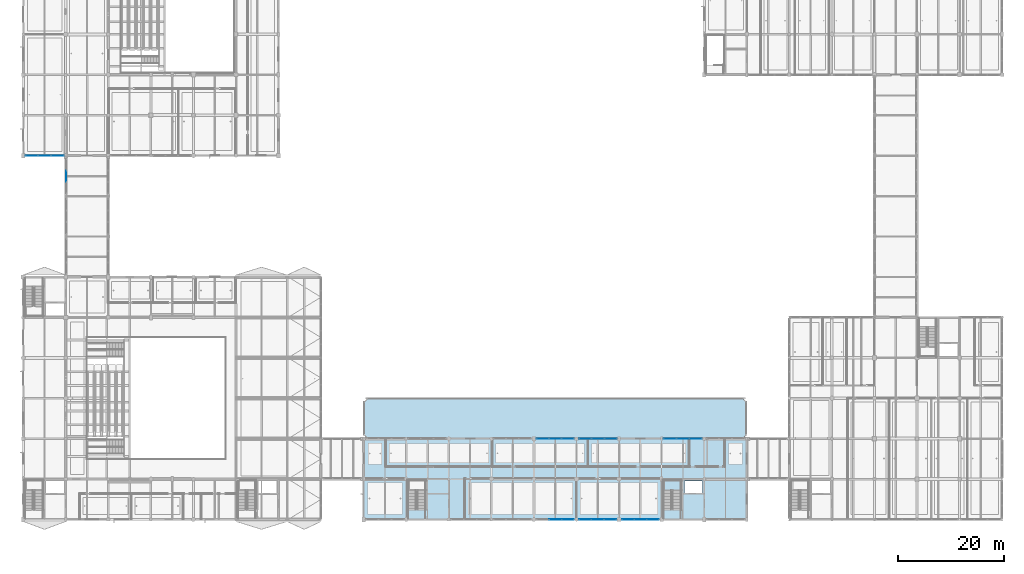
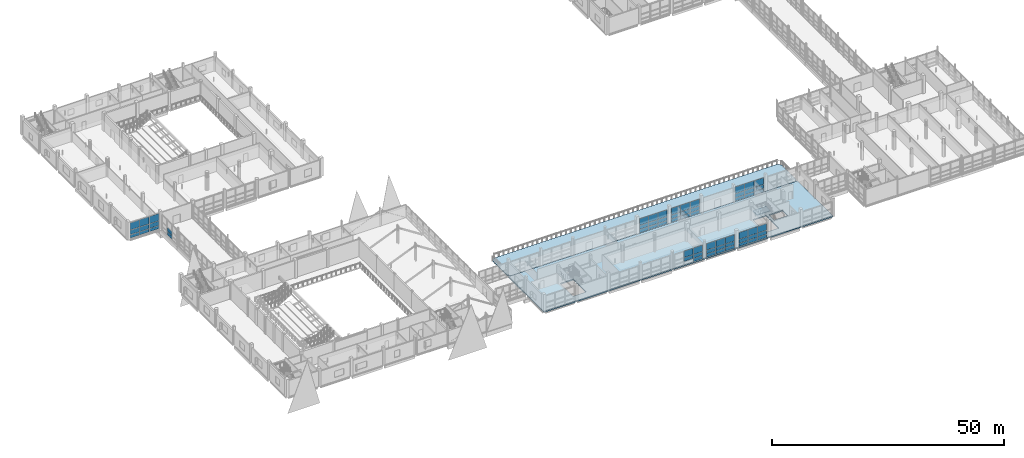
# One storey, part 71 of 147: 61 plates, 3 slabs, 9 elements without a shape of their own.
"""IFC4 building model written with IfcOpenShell, lengths in metres."""

from ifc_helpers import new_model, si_unit, direction, frame, origin, origin_2d, place, context, subcontext, project, spatial, polyline, rectangle, outline, extrude, material, layer, layer_set, type_object, element, aggregate, save


model = new_model("IFC4")

# Units and contexts
model_context = context("Model", 3, precision=1e-05, world=origin(), true_north=direction((0.0, 1.0)))
body_context = subcontext(model_context, "Body", "Model", "MODEL_VIEW")
ifc_project = project(units=[si_unit("LENGTHUNIT", "METRE"), si_unit("AREAUNIT", "SQUARE_METRE"), si_unit("VOLUMEUNIT", "CUBIC_METRE"), si_unit("PLANEANGLEUNIT", "RADIAN"), si_unit("MASSUNIT", "GRAM", prefix="KILO")], contexts=[model_context])

# Site, building, storey
site_placement = place(None, origin())
site = spatial("IfcSite", under=ifc_project, at=site_placement, CompositionType="ELEMENT")
building_placement = place(site_placement, origin())
building = spatial("IfcBuilding", under=site, at=building_placement, Name="Khelvaren Railside Concert Hall", CompositionType="ELEMENT")
storey_placement = place(building_placement, frame((0.0, 0.0, 5.39990234375)))
storey = spatial("IfcBuildingStorey", under=building, at=storey_placement, Name="L01", CompositionType="ELEMENT", Elevation=5.39990234375)

# Curtain wall, plates
ifc_material_1 = material(Name="Acoustic laminated crystal facade glass", Category="glass")
curtain_wall_type_1 = type_object("IfcCurtainWallType", Name="CW15", PredefinedType="USERDEFINED", material=ifc_material_1)
curtain_wall_1_placement = place(storey_placement, origin())
curtain_wall_1 = element("IfcCurtainWall", 1, at=curtain_wall_1_placement, inside=storey, type_object=curtain_wall_type_1, Name="Unitised Curtain Wall CW-V3-L01-S-96", ObjectType="UNITISED CURTAIN WALL", PredefinedType="USERDEFINED")
ifc_layer_1 = layer(ifc_material_1, 0.0400390625)
ifc_layer_set_1 = layer_set([ifc_layer_1], Name="Acoustic laminated crystal facade glass")
plate_type = type_object("IfcPlateType", Name="CWP77", PredefinedType="CURTAIN_PANEL", material=ifc_layer_set_1)
plate_1_placement = place(storey_placement, frame((102.3896484375, 0.0, 0.0849609375), z_axis=(0.0, 0.0, 1.0), x_axis=(-1.0, 0.0, 0.0)))
plate_1 = element("IfcPlate", 2, at=plate_1_placement, type_object=plate_type, Name="CW15 panel 1.1", PredefinedType="CURTAIN_PANEL", context=body_context, shape_type="SweptSolid", body=[
    extrude(rectangle(XDim=2.245849609375, YDim=0.0400390625, at=origin_2d()), origin(), (0.0, 0.0, 1.0), 0.822509765625),
])
plate_2_placement = place(storey_placement, frame((102.3896484375, 0.0, 0.99267578125), z_axis=(0.0, 0.0, 1.0), x_axis=(-1.0, 0.0, 0.0)))
plate_2 = element("IfcPlate", 3, at=plate_2_placement, type_object=plate_type, Name="CW15 panel 1.2", PredefinedType="CURTAIN_PANEL", context=body_context, shape_type="SweptSolid", body=[
    extrude(rectangle(XDim=2.245849609375, YDim=0.0400390625, at=origin_2d()), origin(), (0.0, 0.0, 1.0), 0.9150390625),
])
plate_3_placement = place(storey_placement, frame((102.3896484375, 0.0, 1.99267578125), z_axis=(0.0, 0.0, 1.0), x_axis=(-1.0, 0.0, 0.0)))
plate_3 = element("IfcPlate", 4, at=plate_3_placement, type_object=plate_type, Name="CW15 panel 1.3", PredefinedType="CURTAIN_PANEL", context=body_context, shape_type="SweptSolid", body=[
    extrude(rectangle(XDim=2.245849609375, YDim=0.0400390625, at=origin_2d()), origin(), (0.0, 0.0, 1.0), 1.672607421875),
])
plate_4_placement = place(storey_placement, frame((100.03759765625, 0.0, 0.99267578125), z_axis=(0.0, 0.0, 1.0), x_axis=(-1.0, 0.0, 0.0)))
plate_4 = element("IfcPlate", 5, at=plate_4_placement, type_object=plate_type, Name="CW15 panel 2.2", PredefinedType="CURTAIN_PANEL", context=body_context, shape_type="SweptSolid", body=[
    extrude(rectangle(XDim=2.288330078125, YDim=0.0400390625, at=origin_2d()), origin(), (0.0, 0.0, 1.0), 0.9150390625),
])
plate_5_placement = place(storey_placement, frame((100.03759765625, 0.0, 1.99267578125), z_axis=(0.0, 0.0, 1.0), x_axis=(-1.0, 0.0, 0.0)))
plate_5 = element("IfcPlate", 6, at=plate_5_placement, type_object=plate_type, Name="CW15 panel 2.3", PredefinedType="CURTAIN_PANEL", context=body_context, shape_type="SweptSolid", body=[
    extrude(rectangle(XDim=2.288330078125, YDim=0.0400390625, at=origin_2d()), origin(), (0.0, 0.0, 1.0), 1.672607421875),
])
aggregate(curtain_wall_1, [plate_1, plate_2, plate_3, plate_4, plate_5])

curtain_wall_type_2 = type_object("IfcCurtainWallType", Name="CW54", PredefinedType="USERDEFINED", material=ifc_material_1)
curtain_wall_2_placement = place(storey_placement, origin())
curtain_wall_2 = element("IfcCurtainWall", 7, at=curtain_wall_2_placement, inside=storey, type_object=curtain_wall_type_2, Name="Unitised Curtain Wall CW-V3-L01-S-104", ObjectType="UNITISED CURTAIN WALL", PredefinedType="USERDEFINED")
plate_6_placement = place(storey_placement, frame((110.314697265625, 0.0, 0.0849609375), z_axis=(0.0, 0.0, 1.0), x_axis=(-1.0, 0.0, 0.0)))
plate_6 = element("IfcPlate", 8, at=plate_6_placement, type_object=plate_type, Name="CW54 panel 1.1", PredefinedType="CURTAIN_PANEL", context=body_context, shape_type="SweptSolid", body=[
    extrude(rectangle(XDim=2.245849609375, YDim=0.0400390625, at=origin_2d()), origin(), (0.0, 0.0, 1.0), 0.822509765625),
])
plate_7_placement = place(storey_placement, frame((110.314697265625, 0.0, 0.99267578125), z_axis=(0.0, 0.0, 1.0), x_axis=(-1.0, 0.0, 0.0)))
plate_7 = element("IfcPlate", 9, at=plate_7_placement, type_object=plate_type, Name="CW54 panel 1.2", PredefinedType="CURTAIN_PANEL", context=body_context, shape_type="SweptSolid", body=[
    extrude(rectangle(XDim=2.245849609375, YDim=0.0400390625, at=origin_2d()), origin(), (0.0, 0.0, 1.0), 0.9150390625),
])
plate_8_placement = place(storey_placement, frame((110.314697265625, 0.0, 1.99267578125), z_axis=(0.0, 0.0, 1.0), x_axis=(-1.0, 0.0, 0.0)))
plate_8 = element("IfcPlate", 10, at=plate_8_placement, type_object=plate_type, Name="CW54 panel 1.3", PredefinedType="CURTAIN_PANEL", context=body_context, shape_type="SweptSolid", body=[
    extrude(rectangle(XDim=2.245849609375, YDim=0.0400390625, at=origin_2d()), origin(), (0.0, 0.0, 1.0), 1.672607421875),
])
plate_9_placement = place(storey_placement, frame((107.96240234375, 0.0, 0.0849609375), z_axis=(0.0, 0.0, 1.0), x_axis=(-1.0, 0.0, 0.0)))
plate_9 = element("IfcPlate", 11, at=plate_9_placement, type_object=plate_type, Name="CW54 panel 2.1", PredefinedType="CURTAIN_PANEL", context=body_context, shape_type="SweptSolid", body=[
    extrude(rectangle(XDim=2.288330078125, YDim=0.0400390625, at=origin_2d()), origin(), (0.0, 0.0, 1.0), 0.822509765625),
])
plate_10_placement = place(storey_placement, frame((107.96240234375, 0.0, 0.99267578125), z_axis=(0.0, 0.0, 1.0), x_axis=(-1.0, 0.0, 0.0)))
plate_10 = element("IfcPlate", 12, at=plate_10_placement, type_object=plate_type, Name="CW54 panel 2.2", PredefinedType="CURTAIN_PANEL", context=body_context, shape_type="SweptSolid", body=[
    extrude(rectangle(XDim=2.288330078125, YDim=0.0400390625, at=origin_2d()), origin(), (0.0, 0.0, 1.0), 0.9150390625),
])
plate_11_placement = place(storey_placement, frame((107.96240234375, 0.0, 1.99267578125), z_axis=(0.0, 0.0, 1.0), x_axis=(-1.0, 0.0, 0.0)))
plate_11 = element("IfcPlate", 13, at=plate_11_placement, type_object=plate_type, Name="CW54 panel 2.3", PredefinedType="CURTAIN_PANEL", context=body_context, shape_type="SweptSolid", body=[
    extrude(rectangle(XDim=2.288330078125, YDim=0.0400390625, at=origin_2d()), origin(), (0.0, 0.0, 1.0), 1.672607421875),
])
plate_12_placement = place(storey_placement, frame((105.6103515625, 0.0, 0.0849609375), z_axis=(0.0, 0.0, 1.0), x_axis=(-1.0, 0.0, 0.0)))
plate_12 = element("IfcPlate", 14, at=plate_12_placement, type_object=plate_type, Name="CW54 panel 3.1", PredefinedType="CURTAIN_PANEL", context=body_context, shape_type="SweptSolid", body=[
    extrude(rectangle(XDim=2.245849609375, YDim=0.0400390625, at=origin_2d()), origin(), (0.0, 0.0, 1.0), 0.822509765625),
])
plate_13_placement = place(storey_placement, frame((105.6103515625, 0.0, 0.99267578125), z_axis=(0.0, 0.0, 1.0), x_axis=(-1.0, 0.0, 0.0)))
plate_13 = element("IfcPlate", 15, at=plate_13_placement, type_object=plate_type, Name="CW54 panel 3.2", PredefinedType="CURTAIN_PANEL", context=body_context, shape_type="SweptSolid", body=[
    extrude(rectangle(XDim=2.245849609375, YDim=0.0400390625, at=origin_2d()), origin(), (0.0, 0.0, 1.0), 0.9150390625),
])
plate_14_placement = place(storey_placement, frame((105.6103515625, 0.0, 1.99267578125), z_axis=(0.0, 0.0, 1.0), x_axis=(-1.0, 0.0, 0.0)))
plate_14 = element("IfcPlate", 16, at=plate_14_placement, type_object=plate_type, Name="CW54 panel 3.3", PredefinedType="CURTAIN_PANEL", context=body_context, shape_type="SweptSolid", body=[
    extrude(rectangle(XDim=2.245849609375, YDim=0.0400390625, at=origin_2d()), origin(), (0.0, 0.0, 1.0), 1.672607421875),
])
aggregate(curtain_wall_2, [plate_6, plate_7, plate_8, plate_9, plate_10, plate_11, plate_12, plate_13, plate_14])

curtain_wall_type_3 = type_object("IfcCurtainWallType", Name="CW66", PredefinedType="USERDEFINED", material=ifc_material_1)
curtain_wall_3_placement = place(storey_placement, origin())
curtain_wall_3 = element("IfcCurtainWall", 17, at=curtain_wall_3_placement, inside=storey, type_object=curtain_wall_type_3, Name="Unitised Curtain Wall CW-V3-L01-S-112", ObjectType="UNITISED CURTAIN WALL", PredefinedType="USERDEFINED")
plate_15_placement = place(storey_placement, frame((118.36865234375, 0.0, 0.0849609375), z_axis=(0.0, 0.0, 1.0), x_axis=(-1.0, 0.0, 0.0)))
plate_15 = element("IfcPlate", 18, at=plate_15_placement, type_object=plate_type, Name="CW66 panel 1.1", PredefinedType="CURTAIN_PANEL", context=body_context, shape_type="SweptSolid", body=[
    extrude(rectangle(XDim=2.237548828125, YDim=0.0400390625, at=origin_2d()), origin(), (0.0, 0.0, 1.0), 0.822509765625),
])
plate_16_placement = place(storey_placement, frame((118.36865234375, 0.0, 0.99267578125), z_axis=(0.0, 0.0, 1.0), x_axis=(-1.0, 0.0, 0.0)))
plate_16 = element("IfcPlate", 19, at=plate_16_placement, type_object=plate_type, Name="CW66 panel 1.2", PredefinedType="CURTAIN_PANEL", context=body_context, shape_type="SweptSolid", body=[
    extrude(rectangle(XDim=2.237548828125, YDim=0.0400390625, at=origin_2d()), origin(), (0.0, 0.0, 1.0), 0.967041015625),
])
plate_17_placement = place(storey_placement, frame((118.36865234375, 0.0, 2.04443359375), z_axis=(0.0, 0.0, 1.0), x_axis=(-1.0, 0.0, 0.0)))
plate_17 = element("IfcPlate", 20, at=plate_17_placement, type_object=plate_type, Name="CW66 panel 1.3", PredefinedType="CURTAIN_PANEL", context=body_context, shape_type="SweptSolid", body=[
    extrude(rectangle(XDim=2.237548828125, YDim=0.0400390625, at=origin_2d()), origin(), (0.0, 0.0, 1.0), 1.720458984375),
])
plate_18_placement = place(storey_placement, frame((116.02490234375, 0.0, 0.0849609375), z_axis=(0.0, 0.0, 1.0), x_axis=(-1.0, 0.0, 0.0)))
plate_18 = element("IfcPlate", 21, at=plate_18_placement, type_object=plate_type, Name="CW66 panel 2.1", PredefinedType="CURTAIN_PANEL", context=body_context, shape_type="SweptSolid", body=[
    extrude(rectangle(XDim=2.280029296875, YDim=0.0400390625, at=origin_2d()), origin(), (0.0, 0.0, 1.0), 0.822509765625),
])
plate_19_placement = place(storey_placement, frame((116.02490234375, 0.0, 0.99267578125), z_axis=(0.0, 0.0, 1.0), x_axis=(-1.0, 0.0, 0.0)))
plate_19 = element("IfcPlate", 22, at=plate_19_placement, type_object=plate_type, Name="CW66 panel 2.2", PredefinedType="CURTAIN_PANEL", context=body_context, shape_type="SweptSolid", body=[
    extrude(rectangle(XDim=2.280029296875, YDim=0.0400390625, at=origin_2d()), origin(), (0.0, 0.0, 1.0), 0.967041015625),
])
plate_20_placement = place(storey_placement, frame((116.02490234375, 0.0, 2.04443359375), z_axis=(0.0, 0.0, 1.0), x_axis=(-1.0, 0.0, 0.0)))
plate_20 = element("IfcPlate", 23, at=plate_20_placement, type_object=plate_type, Name="CW66 panel 2.3", PredefinedType="CURTAIN_PANEL", context=body_context, shape_type="SweptSolid", body=[
    extrude(rectangle(XDim=2.280029296875, YDim=0.0400390625, at=origin_2d()), origin(), (0.0, 0.0, 1.0), 1.720458984375),
])
plate_21_placement = place(storey_placement, frame((113.68115234375, 0.0, 0.0849609375), z_axis=(0.0, 0.0, 1.0), x_axis=(-1.0, 0.0, 0.0)))
plate_21 = element("IfcPlate", 24, at=plate_21_placement, type_object=plate_type, Name="CW66 panel 3.1", PredefinedType="CURTAIN_PANEL", context=body_context, shape_type="SweptSolid", body=[
    extrude(rectangle(XDim=2.237548828125, YDim=0.0400390625, at=origin_2d()), origin(), (0.0, 0.0, 1.0), 0.822509765625),
])
plate_22_placement = place(storey_placement, frame((113.68115234375, 0.0, 0.99267578125), z_axis=(0.0, 0.0, 1.0), x_axis=(-1.0, 0.0, 0.0)))
plate_22 = element("IfcPlate", 25, at=plate_22_placement, type_object=plate_type, Name="CW66 panel 3.2", PredefinedType="CURTAIN_PANEL", context=body_context, shape_type="SweptSolid", body=[
    extrude(rectangle(XDim=2.237548828125, YDim=0.0400390625, at=origin_2d()), origin(), (0.0, 0.0, 1.0), 0.967041015625),
])
plate_23_placement = place(storey_placement, frame((113.68115234375, 0.0, 2.04443359375), z_axis=(0.0, 0.0, 1.0), x_axis=(-1.0, 0.0, 0.0)))
plate_23 = element("IfcPlate", 26, at=plate_23_placement, type_object=plate_type, Name="CW66 panel 3.3", PredefinedType="CURTAIN_PANEL", context=body_context, shape_type="SweptSolid", body=[
    extrude(rectangle(XDim=2.237548828125, YDim=0.0400390625, at=origin_2d()), origin(), (0.0, 0.0, 1.0), 1.720458984375),
])
aggregate(curtain_wall_3, [plate_15, plate_16, plate_17, plate_18, plate_19, plate_20, plate_21, plate_22, plate_23])

curtain_wall_type_4 = type_object("IfcCurtainWallType", Name="CW21", PredefinedType="USERDEFINED", material=ifc_material_1)
curtain_wall_4_placement = place(storey_placement, origin())
curtain_wall_4 = element("IfcCurtainWall", 27, at=curtain_wall_4_placement, inside=storey, type_object=curtain_wall_type_4, Name="Unitised Curtain Wall CW-V3-L01-N-96", ObjectType="UNITISED CURTAIN WALL", PredefinedType="USERDEFINED")
plate_24_placement = place(storey_placement, frame((97.68115234375, 15.199951171875, 0.0849609375), z_axis=(0.0, 0.0, 1.0), x_axis=(1.0, 0.0, 0.0)))
plate_24 = element("IfcPlate", 28, at=plate_24_placement, type_object=plate_type, Name="CW21 panel 1.1", PredefinedType="CURTAIN_PANEL", context=body_context, shape_type="SweptSolid", body=[
    extrude(rectangle(XDim=2.237548828125, YDim=0.0400390625, at=origin_2d()), origin(), (0.0, 0.0, 1.0), 0.822509765625),
])
plate_25_placement = place(storey_placement, frame((97.68115234375, 15.199951171875, 0.99267578125), z_axis=(0.0, 0.0, 1.0), x_axis=(1.0, 0.0, 0.0)))
plate_25 = element("IfcPlate", 29, at=plate_25_placement, type_object=plate_type, Name="CW21 panel 1.2", PredefinedType="CURTAIN_PANEL", context=body_context, shape_type="SweptSolid", body=[
    extrude(rectangle(XDim=2.237548828125, YDim=0.0400390625, at=origin_2d()), origin(), (0.0, 0.0, 1.0), 0.967041015625),
])
plate_26_placement = place(storey_placement, frame((97.68115234375, 15.199951171875, 2.04443359375), z_axis=(0.0, 0.0, 1.0), x_axis=(1.0, 0.0, 0.0)))
plate_26 = element("IfcPlate", 30, at=plate_26_placement, type_object=plate_type, Name="CW21 panel 1.3", PredefinedType="CURTAIN_PANEL", context=body_context, shape_type="SweptSolid", body=[
    extrude(rectangle(XDim=2.237548828125, YDim=0.0400390625, at=origin_2d()), origin(), (0.0, 0.0, 1.0), 1.720458984375),
])
plate_27_placement = place(storey_placement, frame((100.02490234375, 15.199951171875, 0.0849609375), z_axis=(0.0, 0.0, 1.0), x_axis=(1.0, 0.0, 0.0)))
plate_27 = element("IfcPlate", 31, at=plate_27_placement, type_object=plate_type, Name="CW21 panel 2.1", PredefinedType="CURTAIN_PANEL", context=body_context, shape_type="SweptSolid", body=[
    extrude(rectangle(XDim=2.280029296875, YDim=0.0400390625, at=origin_2d()), origin(), (0.0, 0.0, 1.0), 0.822509765625),
])
plate_28_placement = place(storey_placement, frame((100.02490234375, 15.199951171875, 0.99267578125), z_axis=(0.0, 0.0, 1.0), x_axis=(1.0, 0.0, 0.0)))
plate_28 = element("IfcPlate", 32, at=plate_28_placement, type_object=plate_type, Name="CW21 panel 2.2", PredefinedType="CURTAIN_PANEL", context=body_context, shape_type="SweptSolid", body=[
    extrude(rectangle(XDim=2.280029296875, YDim=0.0400390625, at=origin_2d()), origin(), (0.0, 0.0, 1.0), 0.967041015625),
])
plate_29_placement = place(storey_placement, frame((100.02490234375, 15.199951171875, 2.04443359375), z_axis=(0.0, 0.0, 1.0), x_axis=(1.0, 0.0, 0.0)))
plate_29 = element("IfcPlate", 33, at=plate_29_placement, type_object=plate_type, Name="CW21 panel 2.3", PredefinedType="CURTAIN_PANEL", context=body_context, shape_type="SweptSolid", body=[
    extrude(rectangle(XDim=2.280029296875, YDim=0.0400390625, at=origin_2d()), origin(), (0.0, 0.0, 1.0), 1.720458984375),
])
plate_30_placement = place(storey_placement, frame((102.36865234375, 15.199951171875, 0.0849609375), z_axis=(0.0, 0.0, 1.0), x_axis=(1.0, 0.0, 0.0)))
plate_30 = element("IfcPlate", 34, at=plate_30_placement, type_object=plate_type, Name="CW21 panel 3.1", PredefinedType="CURTAIN_PANEL", context=body_context, shape_type="SweptSolid", body=[
    extrude(rectangle(XDim=2.237548828125, YDim=0.0400390625, at=origin_2d()), origin(), (0.0, 0.0, 1.0), 0.822509765625),
])
plate_31_placement = place(storey_placement, frame((102.36865234375, 15.199951171875, 0.99267578125), z_axis=(0.0, 0.0, 1.0), x_axis=(1.0, 0.0, 0.0)))
plate_31 = element("IfcPlate", 35, at=plate_31_placement, type_object=plate_type, Name="CW21 panel 3.2", PredefinedType="CURTAIN_PANEL", context=body_context, shape_type="SweptSolid", body=[
    extrude(rectangle(XDim=2.237548828125, YDim=0.0400390625, at=origin_2d()), origin(), (0.0, 0.0, 1.0), 0.967041015625),
])
plate_32_placement = place(storey_placement, frame((102.36865234375, 15.199951171875, 2.04443359375), z_axis=(0.0, 0.0, 1.0), x_axis=(1.0, 0.0, 0.0)))
plate_32 = element("IfcPlate", 36, at=plate_32_placement, type_object=plate_type, Name="CW21 panel 3.3", PredefinedType="CURTAIN_PANEL", context=body_context, shape_type="SweptSolid", body=[
    extrude(rectangle(XDim=2.237548828125, YDim=0.0400390625, at=origin_2d()), origin(), (0.0, 0.0, 1.0), 1.720458984375),
])
aggregate(curtain_wall_4, [plate_24, plate_25, plate_26, plate_27, plate_28, plate_29, plate_30, plate_31, plate_32])

curtain_wall_5_placement = place(storey_placement, origin())
curtain_wall_5 = element("IfcCurtainWall", 37, at=curtain_wall_5_placement, inside=storey, type_object=curtain_wall_type_1, Name="Unitised Curtain Wall CW-V3-L01-N-104", ObjectType="UNITISED CURTAIN WALL", PredefinedType="USERDEFINED")
plate_33_placement = place(storey_placement, frame((105.64794921875, 15.199951171875, 0.0849609375), z_axis=(0.0, 0.0, 1.0), x_axis=(1.0, 0.0, 0.0)))
plate_33 = element("IfcPlate", 38, at=plate_33_placement, type_object=plate_type, Name="CW15 panel 1.1", PredefinedType="CURTAIN_PANEL", context=body_context, shape_type="SweptSolid", body=[
    extrude(rectangle(XDim=2.270751953125, YDim=0.0400390625, at=origin_2d()), origin(), (0.0, 0.0, 1.0), 0.822509765625),
])
plate_34_placement = place(storey_placement, frame((105.64794921875, 15.199951171875, 0.99267578125), z_axis=(0.0, 0.0, 1.0), x_axis=(1.0, 0.0, 0.0)))
plate_34 = element("IfcPlate", 39, at=plate_34_placement, type_object=plate_type, Name="CW15 panel 1.2", PredefinedType="CURTAIN_PANEL", context=body_context, shape_type="SweptSolid", body=[
    extrude(rectangle(XDim=2.270751953125, YDim=0.0400390625, at=origin_2d()), origin(), (0.0, 0.0, 1.0), 0.967041015625),
])
plate_35_placement = place(storey_placement, frame((105.64794921875, 15.199951171875, 2.04443359375), z_axis=(0.0, 0.0, 1.0), x_axis=(1.0, 0.0, 0.0)))
plate_35 = element("IfcPlate", 40, at=plate_35_placement, type_object=plate_type, Name="CW15 panel 1.3", PredefinedType="CURTAIN_PANEL", context=body_context, shape_type="SweptSolid", body=[
    extrude(rectangle(XDim=2.270751953125, YDim=0.0400390625, at=origin_2d()), origin(), (0.0, 0.0, 1.0), 1.720458984375),
])
plate_36_placement = place(storey_placement, frame((108.02490234375, 15.199951171875, 0.0849609375), z_axis=(0.0, 0.0, 1.0), x_axis=(1.0, 0.0, 0.0)))
plate_36 = element("IfcPlate", 41, at=plate_36_placement, type_object=plate_type, Name="CW15 panel 2.1", PredefinedType="CURTAIN_PANEL", context=body_context, shape_type="SweptSolid", body=[
    extrude(rectangle(XDim=2.313232421875, YDim=0.0400390625, at=origin_2d()), origin(), (0.0, 0.0, 1.0), 0.822509765625),
])
plate_37_placement = place(storey_placement, frame((108.02490234375, 15.199951171875, 0.99267578125), z_axis=(0.0, 0.0, 1.0), x_axis=(1.0, 0.0, 0.0)))
plate_37 = element("IfcPlate", 42, at=plate_37_placement, type_object=plate_type, Name="CW15 panel 2.2", PredefinedType="CURTAIN_PANEL", context=body_context, shape_type="SweptSolid", body=[
    extrude(rectangle(XDim=2.313232421875, YDim=0.0400390625, at=origin_2d()), origin(), (0.0, 0.0, 1.0), 0.967041015625),
])
plate_38_placement = place(storey_placement, frame((108.02490234375, 15.199951171875, 2.04443359375), z_axis=(0.0, 0.0, 1.0), x_axis=(1.0, 0.0, 0.0)))
plate_38 = element("IfcPlate", 43, at=plate_38_placement, type_object=plate_type, Name="CW15 panel 2.3", PredefinedType="CURTAIN_PANEL", context=body_context, shape_type="SweptSolid", body=[
    extrude(rectangle(XDim=2.313232421875, YDim=0.0400390625, at=origin_2d()), origin(), (0.0, 0.0, 1.0), 1.720458984375),
])
plate_39_placement = place(storey_placement, frame((110.402099609375, 15.199951171875, 0.0849609375), z_axis=(0.0, 0.0, 1.0), x_axis=(1.0, 0.0, 0.0)))
plate_39 = element("IfcPlate", 44, at=plate_39_placement, type_object=plate_type, Name="CW15 panel 3.1", PredefinedType="CURTAIN_PANEL", context=body_context, shape_type="SweptSolid", body=[
    extrude(rectangle(XDim=2.270751953125, YDim=0.0400390625, at=origin_2d()), origin(), (0.0, 0.0, 1.0), 0.822509765625),
])
plate_40_placement = place(storey_placement, frame((110.402099609375, 15.199951171875, 0.99267578125), z_axis=(0.0, 0.0, 1.0), x_axis=(1.0, 0.0, 0.0)))
plate_40 = element("IfcPlate", 45, at=plate_40_placement, type_object=plate_type, Name="CW15 panel 3.2", PredefinedType="CURTAIN_PANEL", context=body_context, shape_type="SweptSolid", body=[
    extrude(rectangle(XDim=2.270751953125, YDim=0.0400390625, at=origin_2d()), origin(), (0.0, 0.0, 1.0), 0.967041015625),
])
plate_41_placement = place(storey_placement, frame((110.402099609375, 15.199951171875, 2.04443359375), z_axis=(0.0, 0.0, 1.0), x_axis=(1.0, 0.0, 0.0)))
plate_41 = element("IfcPlate", 46, at=plate_41_placement, type_object=plate_type, Name="CW15 panel 3.3", PredefinedType="CURTAIN_PANEL", context=body_context, shape_type="SweptSolid", body=[
    extrude(rectangle(XDim=2.270751953125, YDim=0.0400390625, at=origin_2d()), origin(), (0.0, 0.0, 1.0), 1.720458984375),
])
aggregate(curtain_wall_5, [plate_33, plate_34, plate_35, plate_36, plate_37, plate_38, plate_39, plate_40, plate_41])

curtain_wall_6_placement = place(storey_placement, origin())
curtain_wall_6 = element("IfcCurtainWall", 47, at=curtain_wall_6_placement, inside=storey, type_object=curtain_wall_type_2, Name="Unitised Curtain Wall CW-V3-L01-N-120", ObjectType="UNITISED CURTAIN WALL", PredefinedType="USERDEFINED")
plate_42_placement = place(storey_placement, frame((121.564697265625, 15.199951171875, 0.0849609375), z_axis=(0.0, 0.0, 1.0), x_axis=(1.0, 0.0, 0.0)))
plate_42 = element("IfcPlate", 48, at=plate_42_placement, type_object=plate_type, Name="CW54 panel 1.1", PredefinedType="CURTAIN_PANEL", context=body_context, shape_type="SweptSolid", body=[
    extrude(rectangle(XDim=2.30419921875, YDim=0.0400390625, at=origin_2d()), origin(), (0.0, 0.0, 1.0), 0.822509765625),
])
plate_43_placement = place(storey_placement, frame((121.564697265625, 15.199951171875, 0.99267578125), z_axis=(0.0, 0.0, 1.0), x_axis=(1.0, 0.0, 0.0)))
plate_43 = element("IfcPlate", 49, at=plate_43_placement, type_object=plate_type, Name="CW54 panel 1.2", PredefinedType="CURTAIN_PANEL", context=body_context, shape_type="SweptSolid", body=[
    extrude(rectangle(XDim=2.30419921875, YDim=0.0400390625, at=origin_2d()), origin(), (0.0, 0.0, 1.0), 0.992919921875),
])
plate_44_placement = place(storey_placement, frame((121.564697265625, 15.199951171875, 2.07080078125), z_axis=(0.0, 0.0, 1.0), x_axis=(1.0, 0.0, 0.0)))
plate_44 = element("IfcPlate", 50, at=plate_44_placement, type_object=plate_type, Name="CW54 panel 1.3", PredefinedType="CURTAIN_PANEL", context=body_context, shape_type="SweptSolid", body=[
    extrude(rectangle(XDim=2.30419921875, YDim=0.0400390625, at=origin_2d()), origin(), (0.0, 0.0, 1.0), 1.744384765625),
])
plate_45_placement = place(storey_placement, frame((123.97509765625, 15.199951171875, 0.0849609375), z_axis=(0.0, 0.0, 1.0), x_axis=(1.0, 0.0, 0.0)))
plate_45 = element("IfcPlate", 51, at=plate_45_placement, type_object=plate_type, Name="CW54 panel 2.1", PredefinedType="CURTAIN_PANEL", context=body_context, shape_type="SweptSolid", body=[
    extrude(rectangle(XDim=2.3466796875, YDim=0.0400390625, at=origin_2d()), origin(), (0.0, 0.0, 1.0), 0.822509765625),
])
plate_46_placement = place(storey_placement, frame((123.97509765625, 15.199951171875, 0.99267578125), z_axis=(0.0, 0.0, 1.0), x_axis=(1.0, 0.0, 0.0)))
plate_46 = element("IfcPlate", 52, at=plate_46_placement, type_object=plate_type, Name="CW54 panel 2.2", PredefinedType="CURTAIN_PANEL", context=body_context, shape_type="SweptSolid", body=[
    extrude(rectangle(XDim=2.3466796875, YDim=0.0400390625, at=origin_2d()), origin(), (0.0, 0.0, 1.0), 0.992919921875),
])
plate_47_placement = place(storey_placement, frame((123.97509765625, 15.199951171875, 2.07080078125), z_axis=(0.0, 0.0, 1.0), x_axis=(1.0, 0.0, 0.0)))
plate_47 = element("IfcPlate", 53, at=plate_47_placement, type_object=plate_type, Name="CW54 panel 2.3", PredefinedType="CURTAIN_PANEL", context=body_context, shape_type="SweptSolid", body=[
    extrude(rectangle(XDim=2.3466796875, YDim=0.0400390625, at=origin_2d()), origin(), (0.0, 0.0, 1.0), 1.744384765625),
])
plate_48_placement = place(storey_placement, frame((126.385498046875, 15.199951171875, 0.0849609375), z_axis=(0.0, 0.0, 1.0), x_axis=(1.0, 0.0, 0.0)))
plate_48 = element("IfcPlate", 54, at=plate_48_placement, type_object=plate_type, Name="CW54 panel 3.1", PredefinedType="CURTAIN_PANEL", context=body_context, shape_type="SweptSolid", body=[
    extrude(rectangle(XDim=2.30419921875, YDim=0.0400390625, at=origin_2d()), origin(), (0.0, 0.0, 1.0), 0.822509765625),
])
plate_49_placement = place(storey_placement, frame((126.385498046875, 15.199951171875, 0.99267578125), z_axis=(0.0, 0.0, 1.0), x_axis=(1.0, 0.0, 0.0)))
plate_49 = element("IfcPlate", 55, at=plate_49_placement, type_object=plate_type, Name="CW54 panel 3.2", PredefinedType="CURTAIN_PANEL", context=body_context, shape_type="SweptSolid", body=[
    extrude(rectangle(XDim=2.30419921875, YDim=0.0400390625, at=origin_2d()), origin(), (0.0, 0.0, 1.0), 0.992919921875),
])
plate_50_placement = place(storey_placement, frame((126.385498046875, 15.199951171875, 2.07080078125), z_axis=(0.0, 0.0, 1.0), x_axis=(1.0, 0.0, 0.0)))
plate_50 = element("IfcPlate", 56, at=plate_50_placement, type_object=plate_type, Name="CW54 panel 3.3", PredefinedType="CURTAIN_PANEL", context=body_context, shape_type="SweptSolid", body=[
    extrude(rectangle(XDim=2.30419921875, YDim=0.0400390625, at=origin_2d()), origin(), (0.0, 0.0, 1.0), 1.744384765625),
])
aggregate(curtain_wall_6, [plate_42, plate_43, plate_44, plate_45, plate_46, plate_47, plate_48, plate_49, plate_50])

curtain_wall_7_placement = place(storey_placement, origin())
curtain_wall_7 = element("IfcCurtainWall", 57, at=curtain_wall_7_placement, inside=storey, type_object=curtain_wall_type_1, Name="Unitised Curtain Wall CW-V4-L01-S-0", ObjectType="UNITISED CURTAIN WALL", PredefinedType="USERDEFINED")
plate_51_placement = place(storey_placement, frame((6.435302734375, 68.39990234375, 0.0849609375), z_axis=(0.0, 0.0, 1.0), x_axis=(-1.0, 0.0, 0.0)))
plate_51 = element("IfcPlate", 58, at=plate_51_placement, type_object=plate_type, Name="CW15 panel 1.1", PredefinedType="CURTAIN_PANEL", context=body_context, shape_type="SweptSolid", body=[
    extrude(rectangle(XDim=2.30419921875, YDim=0.0400390625, at=origin_2d()), origin(), (0.0, 0.0, 1.0), 0.822509765625),
])
plate_52_placement = place(storey_placement, frame((6.435302734375, 68.39990234375, 0.99267578125), z_axis=(0.0, 0.0, 1.0), x_axis=(-1.0, 0.0, 0.0)))
plate_52 = element("IfcPlate", 59, at=plate_52_placement, type_object=plate_type, Name="CW15 panel 1.2", PredefinedType="CURTAIN_PANEL", context=body_context, shape_type="SweptSolid", body=[
    extrude(rectangle(XDim=2.30419921875, YDim=0.0400390625, at=origin_2d()), origin(), (0.0, 0.0, 1.0), 1.14892578125),
])
plate_53_placement = place(storey_placement, frame((6.435302734375, 68.39990234375, 2.2265625), z_axis=(0.0, 0.0, 1.0), x_axis=(-1.0, 0.0, 0.0)))
plate_53 = element("IfcPlate", 60, at=plate_53_placement, type_object=plate_type, Name="CW15 panel 1.3", PredefinedType="CURTAIN_PANEL", context=body_context, shape_type="SweptSolid", body=[
    extrude(rectangle(XDim=2.30419921875, YDim=0.0400390625, at=origin_2d()), origin(), (0.0, 0.0, 1.0), 1.888427734375),
])
plate_54_placement = place(storey_placement, frame((4.02490234375, 68.39990234375, 0.0849609375), z_axis=(0.0, 0.0, 1.0), x_axis=(-1.0, 0.0, 0.0)))
plate_54 = element("IfcPlate", 61, at=plate_54_placement, type_object=plate_type, Name="CW15 panel 2.1", PredefinedType="CURTAIN_PANEL", context=body_context, shape_type="SweptSolid", body=[
    extrude(rectangle(XDim=2.3466796875, YDim=0.0400390625, at=origin_2d()), origin(), (0.0, 0.0, 1.0), 0.822509765625),
])
plate_55_placement = place(storey_placement, frame((4.02490234375, 68.39990234375, 0.99267578125), z_axis=(0.0, 0.0, 1.0), x_axis=(-1.0, 0.0, 0.0)))
plate_55 = element("IfcPlate", 62, at=plate_55_placement, type_object=plate_type, Name="CW15 panel 2.2", PredefinedType="CURTAIN_PANEL", context=body_context, shape_type="SweptSolid", body=[
    extrude(rectangle(XDim=2.3466796875, YDim=0.0400390625, at=origin_2d()), origin(), (0.0, 0.0, 1.0), 1.14892578125),
])
plate_56_placement = place(storey_placement, frame((4.02490234375, 68.39990234375, 2.2265625), z_axis=(0.0, 0.0, 1.0), x_axis=(-1.0, 0.0, 0.0)))
plate_56 = element("IfcPlate", 63, at=plate_56_placement, type_object=plate_type, Name="CW15 panel 2.3", PredefinedType="CURTAIN_PANEL", context=body_context, shape_type="SweptSolid", body=[
    extrude(rectangle(XDim=2.3466796875, YDim=0.0400390625, at=origin_2d()), origin(), (0.0, 0.0, 1.0), 1.888427734375),
])
plate_57_placement = place(storey_placement, frame((1.614501953125, 68.39990234375, 0.0849609375), z_axis=(0.0, 0.0, 1.0), x_axis=(-1.0, 0.0, 0.0)))
plate_57 = element("IfcPlate", 64, at=plate_57_placement, type_object=plate_type, Name="CW15 panel 3.1", PredefinedType="CURTAIN_PANEL", context=body_context, shape_type="SweptSolid", body=[
    extrude(rectangle(XDim=2.30419921875, YDim=0.0400390625, at=origin_2d()), origin(), (0.0, 0.0, 1.0), 0.822509765625),
])
plate_58_placement = place(storey_placement, frame((1.614501953125, 68.39990234375, 0.99267578125), z_axis=(0.0, 0.0, 1.0), x_axis=(-1.0, 0.0, 0.0)))
plate_58 = element("IfcPlate", 65, at=plate_58_placement, type_object=plate_type, Name="CW15 panel 3.2", PredefinedType="CURTAIN_PANEL", context=body_context, shape_type="SweptSolid", body=[
    extrude(rectangle(XDim=2.30419921875, YDim=0.0400390625, at=origin_2d()), origin(), (0.0, 0.0, 1.0), 1.14892578125),
])
plate_59_placement = place(storey_placement, frame((1.614501953125, 68.39990234375, 2.2265625), z_axis=(0.0, 0.0, 1.0), x_axis=(-1.0, 0.0, 0.0)))
plate_59 = element("IfcPlate", 66, at=plate_59_placement, type_object=plate_type, Name="CW15 panel 3.3", PredefinedType="CURTAIN_PANEL", context=body_context, shape_type="SweptSolid", body=[
    extrude(rectangle(XDim=2.30419921875, YDim=0.0400390625, at=origin_2d()), origin(), (0.0, 0.0, 1.0), 1.888427734375),
])
aggregate(curtain_wall_7, [plate_51, plate_52, plate_53, plate_54, plate_55, plate_56, plate_57, plate_58, plate_59])

curtain_wall_type_5 = type_object("IfcCurtainWallType", Name="CW78", PredefinedType="USERDEFINED", material=ifc_material_1)
curtain_wall_8_placement = place(storey_placement, origin())
curtain_wall_8 = element("IfcCurtainWall", 67, at=curtain_wall_8_placement, inside=storey, type_object=curtain_wall_type_5, Name="Unitised Curtain Wall CW-LB3-L01-W3", ObjectType="UNITISED CURTAIN WALL", PredefinedType="USERDEFINED")
plate_60_placement = place(storey_placement, frame((8.10009765625, 64.52490234375, 0.0849609375), z_axis=(0.0, 0.0, 1.0), x_axis=(0.0, 1.0, 0.0)))
plate_60 = element("IfcPlate", 68, at=plate_60_placement, type_object=plate_type, Name="CW78 panel 2.1", PredefinedType="CURTAIN_PANEL", context=body_context, shape_type="SweptSolid", body=[
    extrude(rectangle(XDim=2.078369140625, YDim=0.0400390625, at=origin_2d()), origin(), (0.0, 0.0, 1.0), 0.822509765625),
])
plate_61_placement = place(storey_placement, frame((8.10009765625, 64.52490234375, 0.99267578125), z_axis=(0.0, 0.0, 1.0), x_axis=(0.0, 1.0, 0.0)))
plate_61 = element("IfcPlate", 69, at=plate_61_placement, type_object=plate_type, Name="CW78 panel 2.2", PredefinedType="CURTAIN_PANEL", context=body_context, shape_type="SweptSolid", body=[
    extrude(rectangle(XDim=2.078369140625, YDim=0.0400390625, at=origin_2d()), origin(), (0.0, 0.0, 1.0), 1.03466796875),
])
aggregate(curtain_wall_8, [plate_60, plate_61])

# Slabs
ifc_material_2 = material(Name="Concrete C40/50", Category="concrete")
ifc_layer_2 = layer(ifc_material_2, 0.239990234375)
ifc_layer_set_2 = layer_set([ifc_layer_2], Name="Concrete C40/50")
slab_type_1 = type_object("IfcSlabType", Name="FS24", PredefinedType="FLOOR", material=ifc_layer_set_2)
slab_1_placement = place(storey_placement, frame((0.0, 0.0, -0.239990234375)))
element("IfcSlab", 70, at=slab_1_placement, inside=storey, type_object=slab_type_1, Name="V3 L01 Outdoor Promenade Terrace Slab", PredefinedType="FLOOR", context=body_context, shape_type="SweptSolid", body=[
    extrude(outline(polyline([(64.699951171875, 15.199951171875), (135.300048828125, 15.199951171875), (136.0, 15.89990234375), (136.0, 22.10009765625), (135.300048828125, 22.800048828125), (64.699951171875, 22.800048828125), (64.0, 22.10009765625), (64.0, 15.89990234375), (64.699951171875, 15.199951171875)])), origin(), (0.0, 0.0, 1.0), 0.239990234375),
])
ifc_layer_3 = layer(ifc_material_2, 0.300048828125)
ifc_layer_set_3 = layer_set([ifc_layer_3], Name="Concrete C40/50")
slab_type_2 = type_object("IfcSlabType", Name="FS86", PredefinedType="FLOOR", material=ifc_layer_set_3)
slab_2_placement = place(storey_placement, frame((0.0, 0.0, -0.2998046875)))
element("IfcSlab", 71, at=slab_2_placement, inside=storey, type_object=slab_type_2, Name="V3 L01 Structural Floor Slab", PredefinedType="FLOOR", context=body_context, shape_type="SweptSolid", body=[
    extrude(outline(polyline([(64.0, 0.0), (136.0, 0.0), (136.0, 15.199951171875), (64.0, 15.199951171875), (64.0, 0.0)]), holes=[polyline([(75.6201171875, 1.840087890625), (75.6201171875, 7.360107421875), (72.300048828125, 7.360107421875), (72.300048828125, 1.840087890625), (75.6201171875, 1.840087890625)]), polyline([(123.6201171875, 1.840087890625), (123.6201171875, 7.360107421875), (120.300048828125, 7.360107421875), (120.300048828125, 1.840087890625), (123.6201171875, 1.840087890625)]), polyline([(124.25, 4.949951171875), (127.64990234375, 4.949951171875), (127.64990234375, 7.25), (124.25, 7.25), (124.25, 4.949951171875)])]), origin(), (0.0, 0.0, 1.0), 0.2998046875),
])

# Stair, slab
stair_type = type_object("IfcStairType", Name="ST70", PredefinedType="HALF_TURN_STAIR", material=ifc_material_2)
stair_placement = place(storey_placement, origin())
stair = element("IfcStair", 72, at=stair_placement, inside=storey, type_object=stair_type, Name="L01 Core Exit Stair ST-06", PredefinedType="HALF_TURN_STAIR")
ifc_layer_4 = layer(ifc_material_2, 0.199951171875)
ifc_layer_set_4 = layer_set([ifc_layer_4], Name="Concrete C40/50")
slab_type_3 = type_object("IfcSlabType", Name="LND67", PredefinedType="LANDING", material=ifc_layer_set_4)
slab_3_placement = place(storey_placement, frame((0.0, 0.0, 2.2001953125)))
slab_3 = element("IfcSlab", 73, at=slab_3_placement, type_object=slab_type_3, Name="ST-06 landing 1", PredefinedType="LANDING", context=body_context, shape_type="SweptSolid", body=[
    extrude(outline(polyline([(123.6201171875, 5.47998046875), (123.6201171875, 7.360107421875), (120.300048828125, 7.360107421875), (120.300048828125, 5.47998046875), (123.6201171875, 5.47998046875)])), origin(), (0.0, 0.0, 1.0), 0.199951171875),
])
aggregate(stair, [slab_3])

save(model, "model.ifc")
